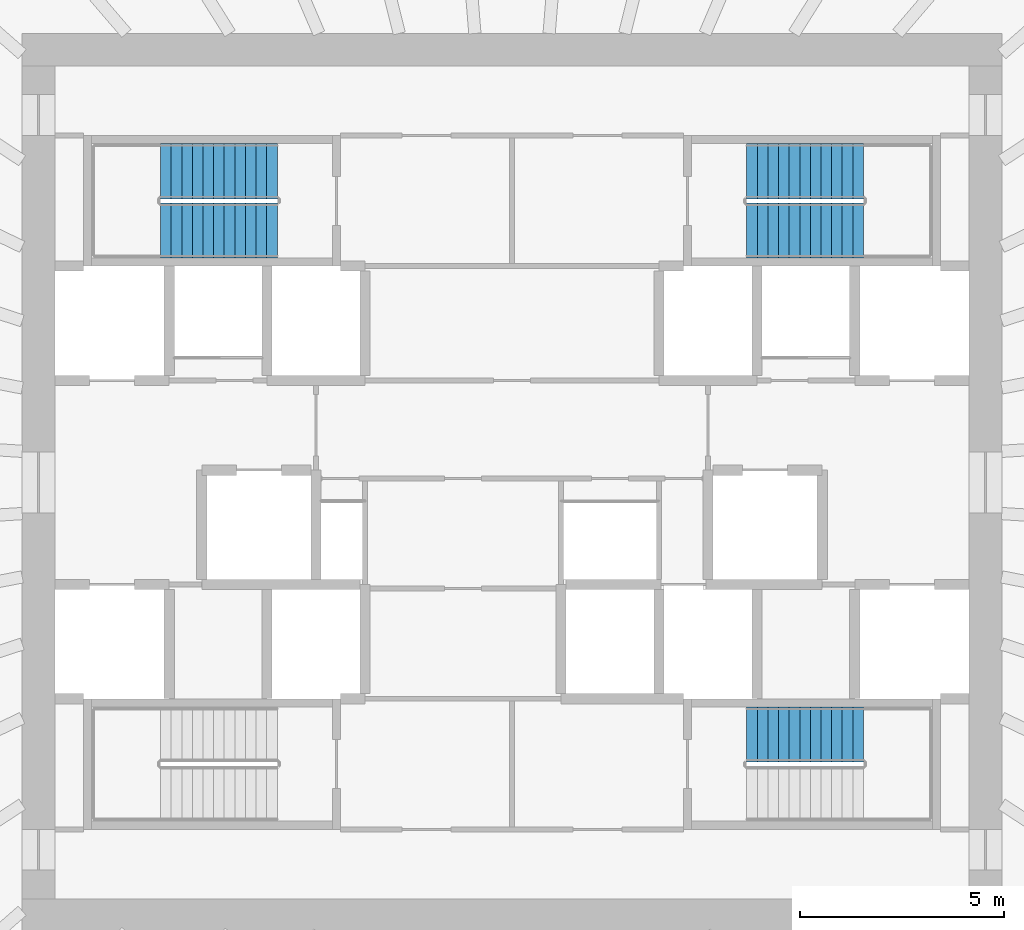
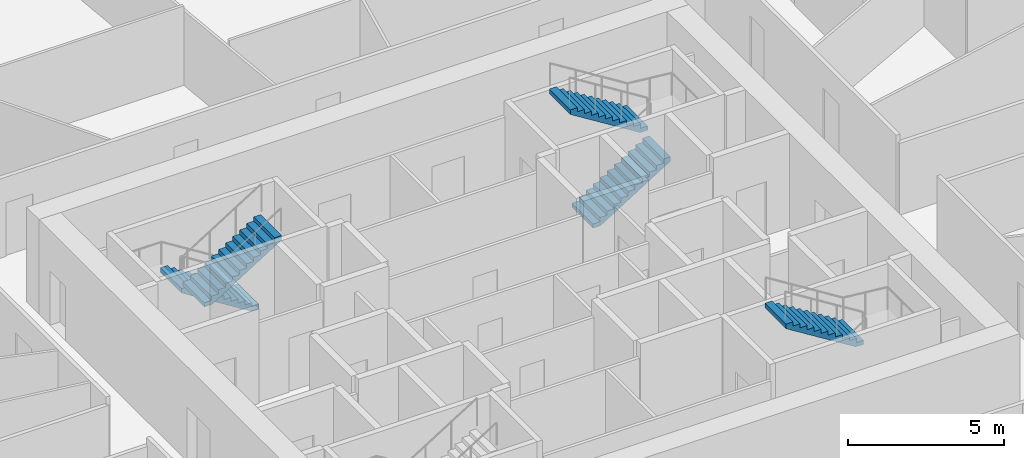
# One storey, part 10 of 11: 5 stair flights, 3 elements without a shape of their own.
"""IFC4 building model written with IfcOpenShell, lengths in metres."""

from ifc_helpers import new_model, si_unit, direction, frame, origin, place, context, subcontext, project, spatial, polyline, outline, extrude, source, transform, mapped, material, type_object, element, aggregate, save


model = new_model("IFC4")

# Units and contexts
model_context = context("Model", 3, precision=1e-05, world=origin(), true_north=direction((0.0, 1.0)))
body_context = subcontext(model_context, "Body", "Model", "MODEL_VIEW")
ifc_project = project(units=[si_unit("LENGTHUNIT", "METRE"), si_unit("AREAUNIT", "SQUARE_METRE"), si_unit("VOLUMEUNIT", "CUBIC_METRE"), si_unit("PLANEANGLEUNIT", "RADIAN"), si_unit("MASSUNIT", "GRAM", prefix="KILO")], contexts=[model_context])

# Site, building, storey
site_placement = place(None, origin())
site = spatial("IfcSite", under=ifc_project, at=site_placement, CompositionType="ELEMENT")
building_placement = place(site_placement, origin())
building = spatial("IfcBuilding", under=site, at=building_placement, Name="Embergate Tower", CompositionType="ELEMENT")
storey_placement = place(building_placement, frame((0.0, 0.0, 203.39990234375)))
storey = spatial("IfcBuildingStorey", under=building, at=storey_placement, Name="L46", CompositionType="ELEMENT", Elevation=203.39990234375)

# Stair, stair flights
ifc_material_1 = material(Name="Exit stair")
stair_type = type_object("IfcStairType", Name="Exit stair", PredefinedType="HALF_TURN_STAIR", material=ifc_material_1)
stair_1_placement = place(storey_placement, origin())
stair_1 = element("IfcStair", 1, at=stair_1_placement, inside=storey, type_object=stair_type, Name="L46 Exit stair 1", PredefinedType="HALF_TURN_STAIR")
ifc_material_2 = material(Name="Concrete C40", Category="concrete")
stair_flight_type = type_object("IfcStairFlightType", Name="Stair flight reinforced concrete", PredefinedType="STRAIGHT", material=ifc_material_2)
shared_shape = source(origin(), body_context, "Body", "SweptSolid", [
    extrude(outline(polyline([(0.0, 0.0), (0.0, 0.16259765625), (0.260009765625, 0.16259765625), (0.260009765625, 0.324951171875), (0.52001953125, 0.324951171875), (0.52001953125, 0.487548828125), (0.780029296875, 0.487548828125), (0.780029296875, 0.64990234375), (1.0400390625, 0.64990234375), (1.0400390625, 0.8125), (1.300048828125, 0.8125), (1.300048828125, 0.97509765625), (1.56005859375, 0.97509765625), (1.56005859375, 1.137451171875), (1.820068359375, 1.137451171875), (1.820068359375, 1.300048828125), (2.080078125, 1.300048828125), (2.080078125, 1.46240234375), (2.340087890625, 1.46240234375), (2.340087890625, 1.625), (2.60009765625, 1.625), (2.60009765625, 1.78759765625), (2.860107421875, 1.78759765625), (2.860107421875, 1.949951171875), (2.860107421875, 1.61083984375), (0.28271484375, 0.0), (0.0, 0.0)])), frame((0.0, 0.675048828125, 0.0), z_axis=(0.0, -1.0, 0.0), x_axis=(1.0, 0.0, 0.0)), (0.0, 0.0, 1.0), 1.35009765625),
])
stair_flight_1_placement = place(storey_placement, frame((-5.75, 7.625, 0.0), z_axis=(0.0, 0.0, 1.0), x_axis=(-1.0, 0.0, 0.0)))
stair_flight_1 = element("IfcStairFlight", 2, at=stair_flight_1_placement, type_object=stair_flight_type, Name="ST1 flight 1", NumberOfRisers=12, NumberOfTreads=11, PredefinedType="STRAIGHT", RiserHeight=0.1625, TreadLength=0.26, context=body_context, shape_type="MappedRepresentation", body=[
    mapped(shared_shape, transform((0.0, 0.0, 0.0))),
])
stair_flight_2_placement = place(storey_placement, frame((-8.610107421875, 6.175048828125, 1.9501953125), z_axis=(0.0, 0.0, 1.0), x_axis=(1.0, 0.0, 0.0)))
stair_flight_2 = element("IfcStairFlight", 3, at=stair_flight_2_placement, type_object=stair_flight_type, Name="ST1 flight 2", NumberOfRisers=12, NumberOfTreads=11, PredefinedType="STRAIGHT", RiserHeight=0.1625, TreadLength=0.26, context=body_context, shape_type="MappedRepresentation", body=[
    mapped(shared_shape, transform((0.0, 0.0, 0.0))),
])
aggregate(stair_1, [stair_flight_1, stair_flight_2])

stair_2_placement = place(storey_placement, origin())
stair_2 = element("IfcStair", 4, at=stair_2_placement, inside=storey, type_object=stair_type, Name="L46 Exit stair 2", PredefinedType="HALF_TURN_STAIR")
stair_flight_3_placement = place(storey_placement, frame((5.75, 6.175048828125, 0.0), z_axis=(0.0, 0.0, 1.0), x_axis=(1.0, 0.0, 0.0)))
stair_flight_3 = element("IfcStairFlight", 5, at=stair_flight_3_placement, type_object=stair_flight_type, Name="ST2 flight 1", NumberOfRisers=12, NumberOfTreads=11, PredefinedType="STRAIGHT", RiserHeight=0.1625, TreadLength=0.26, context=body_context, shape_type="MappedRepresentation", body=[
    mapped(shared_shape, transform((0.0, 0.0, 0.0))),
])
stair_flight_4_placement = place(storey_placement, frame((8.610107421875, 7.625, 1.9501953125), z_axis=(0.0, 0.0, 1.0), x_axis=(-1.0, 0.0, 0.0)))
stair_flight_4 = element("IfcStairFlight", 6, at=stair_flight_4_placement, type_object=stair_flight_type, Name="ST2 flight 2", NumberOfRisers=12, NumberOfTreads=11, PredefinedType="STRAIGHT", RiserHeight=0.1625, TreadLength=0.26, context=body_context, shape_type="MappedRepresentation", body=[
    mapped(shared_shape, transform((0.0, 0.0, 0.0))),
])
aggregate(stair_2, [stair_flight_3, stair_flight_4])

# Stair, stair flight
stair_3_placement = place(storey_placement, origin())
stair_3 = element("IfcStair", 7, at=stair_3_placement, inside=storey, type_object=stair_type, Name="L46 Exit stair 4", PredefinedType="HALF_TURN_STAIR")
stair_flight_5_placement = place(storey_placement, frame((8.610107421875, -6.175048828125, 1.9501953125), z_axis=(0.0, 0.0, 1.0), x_axis=(-1.0, 0.0, 0.0)))
stair_flight_5 = element("IfcStairFlight", 8, at=stair_flight_5_placement, type_object=stair_flight_type, Name="ST4 flight 2", NumberOfRisers=12, NumberOfTreads=11, PredefinedType="STRAIGHT", RiserHeight=0.1625, TreadLength=0.26, context=body_context, shape_type="MappedRepresentation", body=[
    mapped(shared_shape, transform((0.0, 0.0, 0.0))),
])
aggregate(stair_3, [stair_flight_5])

save(model, "model.ifc")
